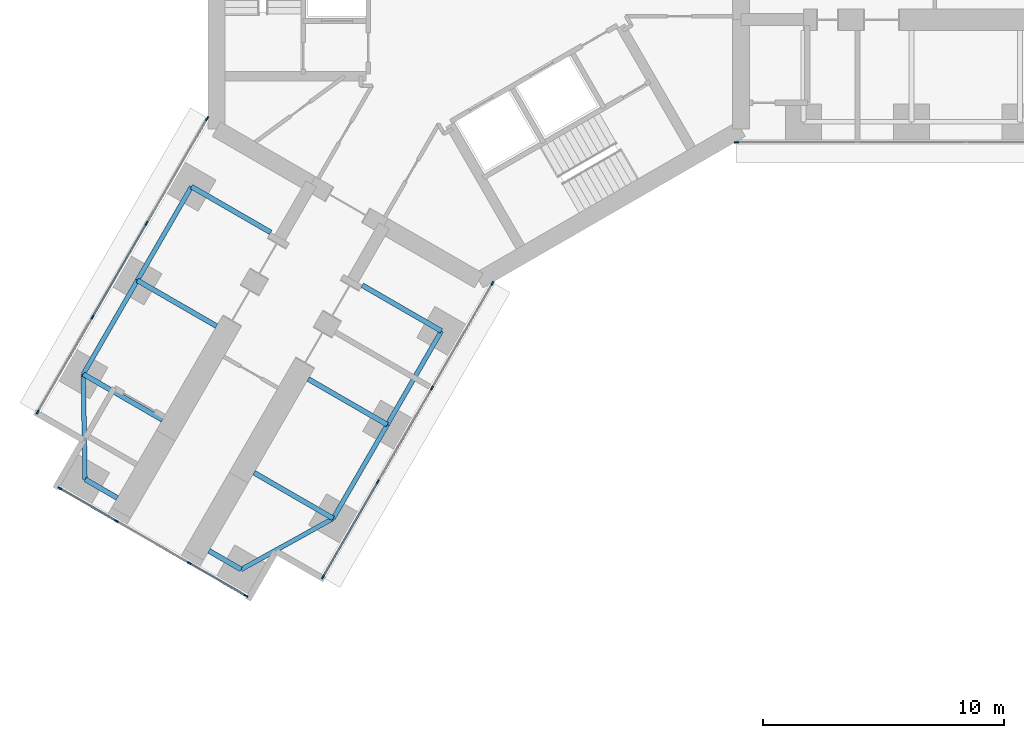
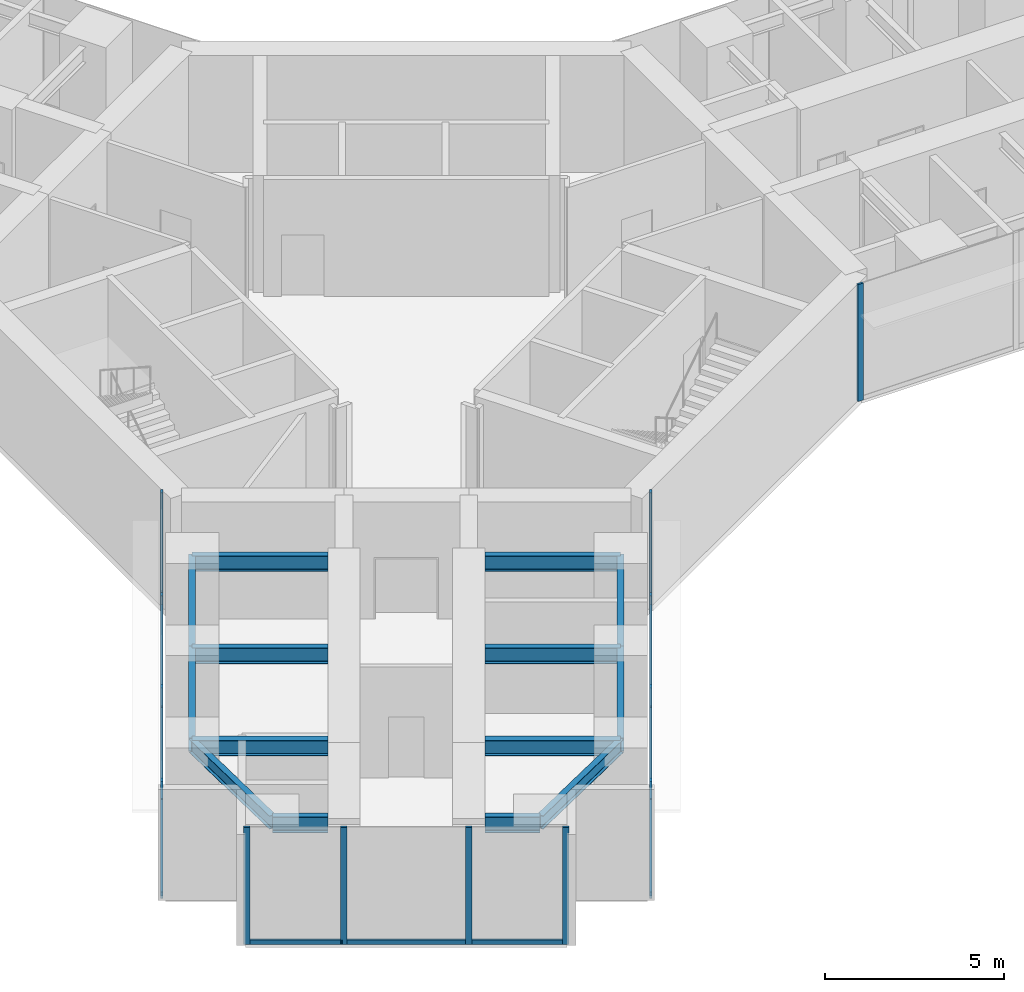
# One storey, part 2 of 23: 22 members, 14 beams, 4 elements without a shape of their own.
"""IFC4 building model written with IfcOpenShell, lengths in metres."""

from ifc_helpers import new_model, si_unit, direction, frame, origin, origin_2d, place, context, subcontext, project, spatial, rectangle, i_section, extrude, material, material_profile, profile_set, type_object, element, aggregate, save


model = new_model("IFC4")

# Units and contexts
model_context = context("Model", 3, precision=1e-05, world=origin(), true_north=direction((0.0, 1.0)))
body_context = subcontext(model_context, "Body", "Model", "MODEL_VIEW")
ifc_project = project(units=[si_unit("LENGTHUNIT", "METRE"), si_unit("AREAUNIT", "SQUARE_METRE"), si_unit("VOLUMEUNIT", "CUBIC_METRE"), si_unit("PLANEANGLEUNIT", "RADIAN"), si_unit("MASSUNIT", "GRAM", prefix="KILO")], contexts=[model_context])

# Site, building, storey
site_placement = place(None, origin())
site = spatial("IfcSite", under=ifc_project, at=site_placement, CompositionType="ELEMENT")
building_placement = place(site_placement, origin())
building = spatial("IfcBuilding", under=site, at=building_placement, Name="Upepo Twin Towers", CompositionType="ELEMENT")
storey_placement = place(building_placement, frame((0.0, 0.0, 24.5)))
storey = spatial("IfcBuildingStorey", under=building, at=storey_placement, Name="L05", CompositionType="ELEMENT", Elevation=24.5)

# Beams
ifc_material_1 = material(Name="Steel S355", Category="steel")
ifc_material_profile_1 = material_profile(ifc_material_1, i_section(OverallWidth=0.1904296875, OverallDepth=0.45703125, WebThickness=0.009033203125, FlangeThickness=0.014404296875, FilletRadius=0.01025390625, at=origin_2d()), Name="UB 457x191x74")
ifc_profile_set_1 = profile_set([ifc_material_profile_1], Name="Steel S355")
beam_type_1 = type_object("IfcBeamType", Name="Beam UB 457x191x74", PredefinedType="BEAM", material=ifc_profile_set_1)
beam_1_placement = place(storey_placement, frame((-1.553955078125, -14.69140625, 3.571533203125), z_axis=(-0.500013631625, -0.866017533419, 0.0), x_axis=(0.866017533419, -0.500013631625, 0.0)))
element("IfcBeam", 1, at=beam_1_placement, inside=storey, type_object=beam_type_1, Name="T1 edge beam CL 13.5-18.0", PredefinedType="BEAM", context=body_context, shape_type="SweptSolid", body=[
    extrude(i_section(OverallWidth=0.1904296875, OverallDepth=0.45703125, WebThickness=0.009033203125, FlangeThickness=0.014404296875, FilletRadius=0.01025390625, at=origin_2d()), origin(), (0.0, 0.0, 1.0), 4.499755859375),
])
beam_2_placement = place(storey_placement, frame((-3.803955078125, -18.58837890625, 3.571533203125), z_axis=(-0.499990139034, -0.866031096941, 0.0), x_axis=(0.866031096941, -0.499990139034, 0.0)))
element("IfcBeam", 2, at=beam_2_placement, inside=storey, type_object=beam_type_1, Name="T1 edge beam CL 18.0-22.5", PredefinedType="BEAM", context=body_context, shape_type="SweptSolid", body=[
    extrude(i_section(OverallWidth=0.1904296875, OverallDepth=0.45703125, WebThickness=0.009033203125, FlangeThickness=0.014404296875, FilletRadius=0.01025390625, at=origin_2d()), origin(), (0.0, 0.0, 1.0), 4.5),
])
beam_3_placement = place(storey_placement, frame((-6.053955078125, -22.485595703125, 3.571533203125), z_axis=(-0.874312600038, -0.485363242752, 0.0), x_axis=(0.485363242752, -0.874312600038, 0.0)))
element("IfcBeam", 3, at=beam_3_placement, inside=storey, type_object=beam_type_1, Name="T1 nose edge beam CL", PredefinedType="BEAM", context=body_context, shape_type="SweptSolid", body=[
    extrude(i_section(OverallWidth=0.1904296875, OverallDepth=0.45703125, WebThickness=0.009033203125, FlangeThickness=0.014404296875, FilletRadius=0.01025390625, at=origin_2d()), origin(), (0.0, 0.0, 1.0), 4.373046875),
])
beam_4_placement = place(storey_placement, frame((-11.946044921875, -8.69140625, 3.571533203125), z_axis=(-0.500013631625, -0.866017533419, 0.0), x_axis=(0.866017533419, -0.500013631625, 0.0)))
element("IfcBeam", 4, at=beam_4_placement, inside=storey, type_object=beam_type_1, Name="T1 edge beam CR 13.5-18.0", PredefinedType="BEAM", context=body_context, shape_type="SweptSolid", body=[
    extrude(i_section(OverallWidth=0.1904296875, OverallDepth=0.45703125, WebThickness=0.009033203125, FlangeThickness=0.014404296875, FilletRadius=0.01025390625, at=origin_2d()), origin(), (0.0, 0.0, 1.0), 4.499755859375),
])
beam_5_placement = place(storey_placement, frame((-14.196044921875, -12.58837890625, 3.571533203125), z_axis=(-0.499990139034, -0.866031096941, 0.0), x_axis=(0.866031096941, -0.499990139034, 0.0)))
element("IfcBeam", 5, at=beam_5_placement, inside=storey, type_object=beam_type_1, Name="T1 edge beam CR 18.0-22.5", PredefinedType="BEAM", context=body_context, shape_type="SweptSolid", body=[
    extrude(i_section(OverallWidth=0.1904296875, OverallDepth=0.45703125, WebThickness=0.009033203125, FlangeThickness=0.014404296875, FilletRadius=0.01025390625, at=origin_2d()), origin(), (0.0, 0.0, 1.0), 4.5),
])
beam_6_placement = place(storey_placement, frame((-16.446044921875, -16.485595703125, 3.571533203125), z_axis=(0.016803880528, -0.999858804832, 0.0), x_axis=(0.999858804832, 0.016803880528, 0.0)))
element("IfcBeam", 6, at=beam_6_placement, inside=storey, type_object=beam_type_1, Name="T1 nose edge beam CR", PredefinedType="BEAM", context=body_context, shape_type="SweptSolid", body=[
    extrude(i_section(OverallWidth=0.1904296875, OverallDepth=0.45703125, WebThickness=0.009033203125, FlangeThickness=0.014404296875, FilletRadius=0.01025390625, at=origin_2d()), origin(), (0.0, 0.0, 1.0), 4.373291015625),
])
ifc_material_2 = material(Name="Steel S355", Category="steel")
ifc_material_profile_2 = material_profile(ifc_material_2, i_section(OverallWidth=0.2099609375, OverallDepth=0.53662109375, WebThickness=0.0107421875, FlangeThickness=0.017333984375, FilletRadius=0.0126953125, at=origin_2d()), Name="UB 533x210x101")
ifc_profile_set_2 = profile_set([ifc_material_profile_2], Name="Steel S355")
beam_type_2 = type_object("IfcBeamType", Name="Beam UB 533x210x101", PredefinedType="BEAM", material=ifc_profile_set_2)
for number, where, z_axis, x_axis, name in (
    (7, (-9.87744140625, -24.608154296875, 3.53173828125), (-0.866043940782, 0.499967891604, 0.0), (-0.499967891604, -0.866043940782, 0.0), "T1 nose beam CL"),
    (8, (-16.37255859375, -20.858154296875, 3.53173828125), (0.866043940782, -0.499967891604, 0.0), (0.499967891604, 0.866043940782, 0.0), "T1 nose beam CR"),
):
    element("IfcBeam", number, at=place(storey_placement, frame(where, z_axis=z_axis, x_axis=x_axis)), inside=storey, type_object=beam_type_2, Name=name, PredefinedType="BEAM", context=body_context, shape_type="SweptSolid", body=[
        extrude(i_section(OverallWidth=0.2099609375, OverallDepth=0.53662109375, WebThickness=0.0107421875, FlangeThickness=0.017333984375, FilletRadius=0.0126953125, at=origin_2d()), origin(), (0.0, 0.0, 1.0), 1.5498046875),
    ])
ifc_material_3 = material(Name="Steel S355", Category="steel")
ifc_material_profile_3 = material_profile(ifc_material_3, i_section(OverallWidth=0.209228515625, OverallDepth=0.533203125, WebThickness=0.010009765625, FlangeThickness=0.015625, FilletRadius=0.0126953125, at=origin_2d()), Name="UB 533x210x92")
ifc_profile_set_3 = profile_set([ifc_material_profile_3], Name="Steel S355")
beam_type_3 = type_object("IfcBeamType", Name="Beam UB 533x210x92", PredefinedType="BEAM", material=ifc_profile_set_3)
beam_7_placement = place(storey_placement, frame((-1.553955078125, -14.69140625, 3.533447265625), z_axis=(-0.866000483506, 0.500043160704, 0.0), x_axis=(-0.500043160704, -0.866000483506, 0.0)))
element("IfcBeam", 9, at=beam_7_placement, inside=storey, type_object=beam_type_3, Name="T1 girder CL at 13.5", PredefinedType="BEAM", context=body_context, shape_type="SweptSolid", body=[
    extrude(i_section(OverallWidth=0.209228515625, OverallDepth=0.533203125, WebThickness=0.010009765625, FlangeThickness=0.015625, FilletRadius=0.0126953125, at=origin_2d()), origin(), (0.0, 0.0, 1.0), 3.800048828125),
])
for number, where, z_axis, x_axis, name in (
    (10, (-3.803955078125, -18.58837890625, 3.533447265625), (-0.866028304915, 0.499994975061, 0.0), (-0.499994975061, -0.866028304915, 0.0), "T1 girder CL at 18.0"),
    (11, (-6.053955078125, -22.485595703125, 3.533447265625), (-0.866028304915, 0.499994975061, 0.0), (-0.499994975061, -0.866028304915, 0.0), "T1 girder CL at 22.5"),
    (12, (-11.946044921875, -8.69140625, 3.533447265625), (0.866028304915, -0.499994975061, 0.0), (0.499994975061, 0.866028304915, 0.0), "T1 girder CR at 13.5"),
):
    element("IfcBeam", number, at=place(storey_placement, frame(where, z_axis=z_axis, x_axis=x_axis)), inside=storey, type_object=beam_type_3, Name=name, PredefinedType="BEAM", context=body_context, shape_type="SweptSolid", body=[
        extrude(i_section(OverallWidth=0.209228515625, OverallDepth=0.533203125, WebThickness=0.010009765625, FlangeThickness=0.015625, FilletRadius=0.0126953125, at=origin_2d()), origin(), (0.0, 0.0, 1.0), 3.7998046875),
    ])
beam_8_placement = place(storey_placement, frame((-14.196044921875, -12.58837890625, 3.533447265625), z_axis=(0.866000483506, -0.500043160704, 0.0), x_axis=(0.500043160704, 0.866000483506, 0.0)))
element("IfcBeam", 13, at=beam_8_placement, inside=storey, type_object=beam_type_3, Name="T1 girder CR at 18.0", PredefinedType="BEAM", context=body_context, shape_type="SweptSolid", body=[
    extrude(i_section(OverallWidth=0.209228515625, OverallDepth=0.533203125, WebThickness=0.010009765625, FlangeThickness=0.015625, FilletRadius=0.0126953125, at=origin_2d()), origin(), (0.0, 0.0, 1.0), 3.800048828125),
])
beam_9_placement = place(storey_placement, frame((-16.446044921875, -16.485595703125, 3.533447265625), z_axis=(0.866028304915, -0.499994975061, 0.0), x_axis=(0.499994975061, 0.866028304915, 0.0)))
element("IfcBeam", 14, at=beam_9_placement, inside=storey, type_object=beam_type_3, Name="T1 girder CR at 22.5", PredefinedType="BEAM", context=body_context, shape_type="SweptSolid", body=[
    extrude(i_section(OverallWidth=0.209228515625, OverallDepth=0.533203125, WebThickness=0.010009765625, FlangeThickness=0.015625, FilletRadius=0.0126953125, at=origin_2d()), origin(), (0.0, 0.0, 1.0), 3.7998046875),
])

# Curtain wall, member
ifc_material_4 = material(Name="Aluminium and fritted glass", Category="aluminium")
curtain_wall_type = type_object("IfcCurtainWallType", Name="Tower curtain wall TW1, fritted glass", PredefinedType="NOTDEFINED", material=ifc_material_4)
curtain_wall_1_placement = place(storey_placement, origin())
curtain_wall_1 = element("IfcCurtainWall", 15, at=curtain_wall_1_placement, inside=storey, type_object=curtain_wall_type, Name="T1 L05 wing A flank R curtain wall", PredefinedType="NOTDEFINED")
ifc_material_5 = material(Name="Aluminium mullion", Category="aluminium")
ifc_material_profile_4 = material_profile(ifc_material_5, rectangle(XDim=0.06494140625, YDim=0.179931640625, at=origin_2d()), Name="MULLION 65x180")
ifc_profile_set_4 = profile_set([ifc_material_profile_4], Name="Aluminium mullion")
member_type_1 = type_object("IfcMemberType", Name="Mullion 65x180 TW1", PredefinedType="MULLION", material=ifc_profile_set_4)
member_1_placement = place(storey_placement, frame((10.7197265625, -6.85009765625, 0.0), z_axis=(0.0, 0.0, 1.0), x_axis=(0.0, -1.0, 0.0)))
member_1 = element("IfcMember", 16, at=member_1_placement, type_object=member_type_1, Name="T1 L05 wing A flank R curtain wall mullion 4", PredefinedType="MULLION", context=body_context, shape_type="SweptSolid", body=[
    extrude(rectangle(XDim=0.06494140625, YDim=0.179931640625, at=origin_2d()), origin(), (0.0, 0.0, 1.0), 4.0),
])
aggregate(curtain_wall_1, [member_1])

# Curtain wall, members
curtain_wall_2_placement = place(storey_placement, origin())
curtain_wall_2 = element("IfcCurtainWall", 17, at=curtain_wall_2_placement, inside=storey, type_object=curtain_wall_type, Name="T1 L05 wing C flank L curtain wall", PredefinedType="NOTDEFINED")
member_2_placement = place(storey_placement, frame((0.572509765625, -12.70849609375, 0.0), z_axis=(0.0, 0.0, 1.0), x_axis=(0.866025389682, -0.500000024426, 0.0)))
member_2 = element("IfcMember", 18, at=member_2_placement, type_object=member_type_1, Name="T1 L05 wing C flank L curtain wall mullion 1", PredefinedType="MULLION", context=body_context, shape_type="SweptSolid", body=[
    extrude(rectangle(XDim=0.06494140625, YDim=0.179931640625, at=origin_2d()), origin(), (0.0, 0.0, 1.0), 4.0),
])
member_3_placement = place(storey_placement, frame((-1.942626953125, -17.06494140625, 0.0), z_axis=(0.0, 0.0, 1.0), x_axis=(0.866025389682, -0.500000024426, 0.0)))
member_3 = element("IfcMember", 19, at=member_3_placement, type_object=member_type_1, Name="T1 L05 wing C flank L curtain wall mullion 2", PredefinedType="MULLION", context=body_context, shape_type="SweptSolid", body=[
    extrude(rectangle(XDim=0.06494140625, YDim=0.179931640625, at=origin_2d()), origin(), (0.0, 0.0, 1.0), 4.0),
])
member_4_placement = place(storey_placement, frame((-4.192626953125, -20.9619140625, 0.0), z_axis=(0.0, 0.0, 1.0), x_axis=(0.866025389682, -0.500000024426, 0.0)))
member_4 = element("IfcMember", 20, at=member_4_placement, type_object=member_type_1, Name="T1 L05 wing C flank L curtain wall mullion 3", PredefinedType="MULLION", context=body_context, shape_type="SweptSolid", body=[
    extrude(rectangle(XDim=0.06494140625, YDim=0.179931640625, at=origin_2d()), origin(), (0.0, 0.0, 1.0), 4.0),
])
member_5_placement = place(storey_placement, frame((-6.4765625, -24.91748046875, 0.0), z_axis=(0.0, 0.0, 1.0), x_axis=(0.866025389682, -0.500000024426, 0.0)))
member_5 = element("IfcMember", 21, at=member_5_placement, type_object=member_type_1, Name="T1 L05 wing C flank L curtain wall mullion 4", PredefinedType="MULLION", context=body_context, shape_type="SweptSolid", body=[
    extrude(rectangle(XDim=0.06494140625, YDim=0.179931640625, at=origin_2d()), origin(), (0.0, 0.0, 1.0), 4.0),
])

curtain_wall_3_placement = place(storey_placement, origin())
curtain_wall_3 = element("IfcCurtainWall", 22, at=curtain_wall_3_placement, inside=storey, type_object=curtain_wall_type, Name="T1 L05 wing C flank R curtain wall", PredefinedType="NOTDEFINED")
member_6_placement = place(storey_placement, frame((-18.341064453125, -18.067626953125, 0.0), z_axis=(0.0, 0.0, 1.0), x_axis=(-0.866025389682, 0.500000024426, 0.0)))
member_6 = element("IfcMember", 23, at=member_6_placement, type_object=member_type_1, Name="T1 L05 wing C flank R curtain wall mullion 1", PredefinedType="MULLION", context=body_context, shape_type="SweptSolid", body=[
    extrude(rectangle(XDim=0.06494140625, YDim=0.179931640625, at=origin_2d()), origin(), (0.0, 0.0, 1.0), 4.0),
])
member_7_placement = place(storey_placement, frame((-16.057373046875, -14.112060546875, 0.0), z_axis=(0.0, 0.0, 1.0), x_axis=(-0.866025389682, 0.500000024426, 0.0)))
member_7 = element("IfcMember", 24, at=member_7_placement, type_object=member_type_1, Name="T1 L05 wing C flank R curtain wall mullion 2", PredefinedType="MULLION", context=body_context, shape_type="SweptSolid", body=[
    extrude(rectangle(XDim=0.06494140625, YDim=0.179931640625, at=origin_2d()), origin(), (0.0, 0.0, 1.0), 4.0),
])
member_8_placement = place(storey_placement, frame((-13.807373046875, -10.21484375, 0.0), z_axis=(0.0, 0.0, 1.0), x_axis=(-0.866025389682, 0.500000024426, 0.0)))
member_8 = element("IfcMember", 25, at=member_8_placement, type_object=member_type_1, Name="T1 L05 wing C flank R curtain wall mullion 3", PredefinedType="MULLION", context=body_context, shape_type="SweptSolid", body=[
    extrude(rectangle(XDim=0.06494140625, YDim=0.179931640625, at=origin_2d()), origin(), (0.0, 0.0, 1.0), 4.0),
])
member_9_placement = place(storey_placement, frame((-11.2919921875, -5.8583984375, 0.0), z_axis=(0.0, 0.0, 1.0), x_axis=(-0.866025389682, 0.500000024426, 0.0)))
member_9 = element("IfcMember", 26, at=member_9_placement, type_object=member_type_1, Name="T1 L05 wing C flank R curtain wall mullion 4", PredefinedType="MULLION", context=body_context, shape_type="SweptSolid", body=[
    extrude(rectangle(XDim=0.06494140625, YDim=0.179931640625, at=origin_2d()), origin(), (0.0, 0.0, 1.0), 4.0),
])

curtain_wall_4_placement = place(storey_placement, origin())
curtain_wall_4 = element("IfcCurtainWall", 27, at=curtain_wall_4_placement, inside=storey, type_object=curtain_wall_type, Name="T1 L05 wing C nose curtain wall", PredefinedType="NOTDEFINED")
member_10_placement = place(storey_placement, frame((-17.4189453125, -21.235595703125, 0.0), z_axis=(0.0, 0.0, 1.0), x_axis=(0.500000030502, 0.866025386174, 0.0)))
member_10 = element("IfcMember", 28, at=member_10_placement, type_object=member_type_1, Name="T1 L05 wing C nose curtain wall mullion 1", PredefinedType="MULLION", context=body_context, shape_type="SweptSolid", body=[
    extrude(rectangle(XDim=0.06494140625, YDim=0.179931640625, at=origin_2d()), origin(), (0.0, 0.0, 1.0), 4.0),
])
member_11_placement = place(storey_placement, frame((-15.0654296875, -22.59423828125, 0.0), z_axis=(0.0, 0.0, 1.0), x_axis=(0.500000030502, 0.866025386174, 0.0)))
member_11 = element("IfcMember", 29, at=member_11_placement, type_object=member_type_1, Name="T1 L05 wing C nose curtain wall mullion 2", PredefinedType="MULLION", context=body_context, shape_type="SweptSolid", body=[
    extrude(rectangle(XDim=0.06494140625, YDim=0.179931640625, at=origin_2d()), origin(), (0.0, 0.0, 1.0), 4.0),
])
member_12_placement = place(storey_placement, frame((-12.034423828125, -24.34423828125, 0.0), z_axis=(0.0, 0.0, 1.0), x_axis=(0.500000030502, 0.866025386174, 0.0)))
member_12 = element("IfcMember", 30, at=member_12_placement, type_object=member_type_1, Name="T1 L05 wing C nose curtain wall mullion 3", PredefinedType="MULLION", context=body_context, shape_type="SweptSolid", body=[
    extrude(rectangle(XDim=0.06494140625, YDim=0.179931640625, at=origin_2d()), origin(), (0.0, 0.0, 1.0), 4.0),
])
member_13_placement = place(storey_placement, frame((-9.68115234375, -25.703125, 0.0), z_axis=(0.0, 0.0, 1.0), x_axis=(0.500000030502, 0.866025386174, 0.0)))
member_13 = element("IfcMember", 31, at=member_13_placement, type_object=member_type_1, Name="T1 L05 wing C nose curtain wall mullion 4", PredefinedType="MULLION", context=body_context, shape_type="SweptSolid", body=[
    extrude(rectangle(XDim=0.06494140625, YDim=0.179931640625, at=origin_2d()), origin(), (0.0, 0.0, 1.0), 4.0),
])

# Member
ifc_material_6 = material(Name="Aluminium transom", Category="aluminium")
ifc_material_profile_5 = material_profile(ifc_material_6, rectangle(XDim=0.06494140625, YDim=0.14990234375, at=origin_2d()), Name="TRANSOM 65x150")
ifc_profile_set_5 = profile_set([ifc_material_profile_5], Name="Aluminium transom")
member_type_2 = type_object("IfcMemberType", Name="Transom 65x150 TW1", PredefinedType="USERDEFINED", material=ifc_profile_set_5)
member_14_placement = place(storey_placement, frame((0.55615234375, -12.736572265625, 0.074951171875), z_axis=(-0.499983492876, -0.866034933967, 0.0), x_axis=(0.866034933967, -0.499983492876, 0.0)))
member_14 = element("IfcMember", 32, at=member_14_placement, type_object=member_type_2, Name="T1 L05 wing C flank L curtain wall transom 1", ObjectType="TRANSOM", PredefinedType="USERDEFINED", context=body_context, shape_type="SweptSolid", body=[
    extrude(rectangle(XDim=0.06494140625, YDim=0.14990234375, at=origin_2d()), origin(), (0.0, 0.0, 1.0), 4.965576171875),
])

member_15_placement = place(storey_placement, frame((-1.958984375, -17.093017578125, 0.074951171875), z_axis=(-0.500005184116, -0.866022410713, 0.0), x_axis=(0.866022410713, -0.500005184116, 0.0)))
member_15 = element("IfcMember", 33, at=member_15_placement, type_object=member_type_2, Name="T1 L05 wing C flank L curtain wall transom 2", ObjectType="TRANSOM", PredefinedType="USERDEFINED", context=body_context, shape_type="SweptSolid", body=[
    extrude(rectangle(XDim=0.06494140625, YDim=0.14990234375, at=origin_2d()), origin(), (0.0, 0.0, 1.0), 4.43505859375),
])

member_16_placement = place(storey_placement, frame((-4.208984375, -20.990234375, 0.074951171875), z_axis=(-0.500005646842, -0.866022143554, 0.0), x_axis=(0.866022143554, -0.500005646842, 0.0)))
member_16 = element("IfcMember", 34, at=member_16_placement, type_object=member_type_2, Name="T1 L05 wing C flank L curtain wall transom 3", ObjectType="TRANSOM", PredefinedType="USERDEFINED", context=body_context, shape_type="SweptSolid", body=[
    extrude(rectangle(XDim=0.06494140625, YDim=0.14990234375, at=origin_2d()), origin(), (0.0, 0.0, 1.0), 4.50244140625),
])

aggregate(curtain_wall_2, [member_2, member_3, member_4, member_5, member_14, member_15, member_16])

member_17_placement = place(storey_placement, frame((-18.32470703125, -18.03955078125, 0.074951171875), z_axis=(0.499982167615, 0.866035699072, 0.0), x_axis=(-0.866035699072, 0.499982167615, 0.0)))
member_17 = element("IfcMember", 35, at=member_17_placement, type_object=member_type_2, Name="T1 L05 wing C flank R curtain wall transom 1", ObjectType="TRANSOM", PredefinedType="USERDEFINED", context=body_context, shape_type="SweptSolid", body=[
    extrude(rectangle(XDim=0.06494140625, YDim=0.14990234375, at=origin_2d()), origin(), (0.0, 0.0, 1.0), 4.502685546875),
])

member_18_placement = place(storey_placement, frame((-16.041015625, -14.083984375, 0.074951171875), z_axis=(0.500005184116, 0.866022410713, 0.0), x_axis=(-0.866022410713, 0.500005184116, 0.0)))
member_18 = element("IfcMember", 36, at=member_18_placement, type_object=member_type_2, Name="T1 L05 wing C flank R curtain wall transom 2", ObjectType="TRANSOM", PredefinedType="USERDEFINED", context=body_context, shape_type="SweptSolid", body=[
    extrude(rectangle(XDim=0.06494140625, YDim=0.14990234375, at=origin_2d()), origin(), (0.0, 0.0, 1.0), 4.43505859375),
])

member_19_placement = place(storey_placement, frame((-13.791015625, -10.186767578125, 0.074951171875), z_axis=(0.50000478328, 0.866022642139, 0.0), x_axis=(-0.866022642139, 0.50000478328, 0.0)))
member_19 = element("IfcMember", 37, at=member_19_placement, type_object=member_type_2, Name="T1 L05 wing C flank R curtain wall transom 3", ObjectType="TRANSOM", PredefinedType="USERDEFINED", context=body_context, shape_type="SweptSolid", body=[
    extrude(rectangle(XDim=0.06494140625, YDim=0.14990234375, at=origin_2d()), origin(), (0.0, 0.0, 1.0), 4.96533203125),
])

aggregate(curtain_wall_3, [member_6, member_7, member_8, member_9, member_17, member_18, member_19])

member_20_placement = place(storey_placement, frame((-17.390869140625, -21.251708984375, 0.074951171875), z_axis=(0.865997053448, -0.500049101008, 0.0), x_axis=(0.500049101008, 0.865997053448, 0.0)))
member_20 = element("IfcMember", 38, at=member_20_placement, type_object=member_type_2, Name="T1 L05 wing C nose curtain wall transom 1", ObjectType="TRANSOM", PredefinedType="USERDEFINED", context=body_context, shape_type="SweptSolid", body=[
    extrude(rectangle(XDim=0.06494140625, YDim=0.14990234375, at=origin_2d()), origin(), (0.0, 0.0, 1.0), 2.652587890625),
])

member_21_placement = place(storey_placement, frame((-15.037353515625, -22.610595703125, 0.074951171875), z_axis=(0.866025804792, -0.499999305434, 0.0), x_axis=(0.499999305434, 0.866025804792, 0.0)))
member_21 = element("IfcMember", 39, at=member_21_placement, type_object=member_type_2, Name="T1 L05 wing C nose curtain wall transom 2", ObjectType="TRANSOM", PredefinedType="USERDEFINED", context=body_context, shape_type="SweptSolid", body=[
    extrude(rectangle(XDim=0.06494140625, YDim=0.14990234375, at=origin_2d()), origin(), (0.0, 0.0, 1.0), 3.43505859375),
])

member_22_placement = place(storey_placement, frame((-12.00634765625, -24.360595703125, 0.074951171875), z_axis=(0.866036909293, -0.499980071345, 0.0), x_axis=(0.499980071345, 0.866036909293, 0.0)))
member_22 = element("IfcMember", 40, at=member_22_placement, type_object=member_type_2, Name="T1 L05 wing C nose curtain wall transom 3", ObjectType="TRANSOM", PredefinedType="USERDEFINED", context=body_context, shape_type="SweptSolid", body=[
    extrude(rectangle(XDim=0.06494140625, YDim=0.14990234375, at=origin_2d()), origin(), (0.0, 0.0, 1.0), 2.65234375),
])

aggregate(curtain_wall_4, [member_10, member_11, member_12, member_13, member_20, member_21, member_22])

save(model, "model.ifc")
